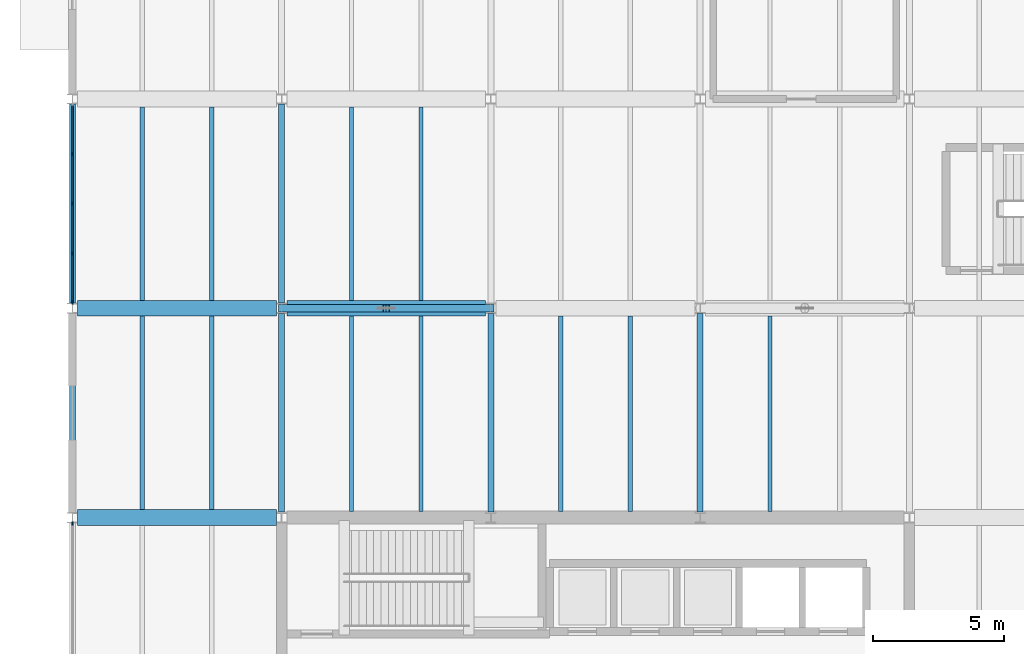
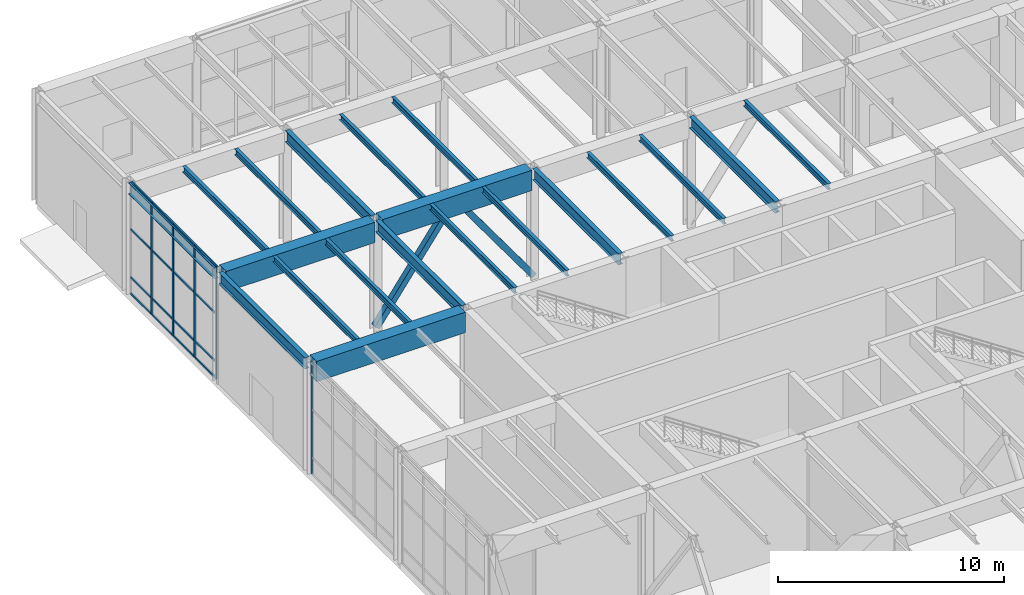
# One storey, part 20 of 51: 23 members, 20 beams, 2 elements without a shape of their own.
"""IFC4 building model written with IfcOpenShell, lengths in metres."""

import ifcopenshell
import ifcopenshell.guid

model = None  # the IFC model being written
_history = None  # IfcOwnerHistory: only IFC2X3 demands one
_inside = {}  # id of a spatial element -> (the spatial element, [elements in it])
_under = {}  # id of a project, library or spatial element -> (it, [spatial elements below it])
_declared = {}  # id of a project -> (the project, [libraries it declares])
_typed = {}  # id of a type object -> (the type object, [elements of that type])
_made_of = {}  # id of a material, layer set ... -> (it, [elements and type objects made of it])


def new_model(schema):
    """Start an empty IFC model of exactly this schema.

    Asked for "IFC4X3", IfcOpenShell would pick the latest addendum, in which some entities
    have other attributes; the version numbers below select the first issue.
    IFC2X3 requires an IfcOwnerHistory on every rooted entity: one is made here for all.
    """
    global model, _history
    if schema == "IFC4X3":
        model = ifcopenshell.file(schema_version=(4, 3, 0, 0))
    else:
        model = ifcopenshell.file(schema=schema)
    _inside.clear()
    _under.clear()
    _declared.clear()
    _typed.clear()
    _made_of.clear()
    _history = None
    if model.schema == "IFC2X3":
        org = make("IfcOrganization", Name="unknown")
        user = make(
            "IfcPersonAndOrganization",
            ThePerson=make("IfcPerson", FamilyName="unknown"),
            TheOrganization=org,
        )
        app = make(
            "IfcApplication",
            ApplicationDeveloper=org,
            Version="unknown",
            ApplicationFullName="unknown",
            ApplicationIdentifier="unknown",
        )
        _history = make(
            "IfcOwnerHistory",
            OwningUser=user,
            OwningApplication=app,
            ChangeAction="ADDED",
            CreationDate=0,
        )
    return model


def make(cls, **values):
    """One entity of the class cls with the attributes given. An attribute that is None is left unset."""
    return model.create_entity(
        cls, **{name: value for name, value in values.items() if value is not None}
    )


def rooted(cls, **values):
    """An entity with a GlobalId (a new one), such as an element, a storey or a relation."""
    return make(cls, GlobalId=ifcopenshell.guid.new(), OwnerHistory=_history, **values)


def si_unit(unit_type, name, prefix=None):
    """IfcSIUnit, for example si_unit("LENGTHUNIT", "METRE", prefix="MILLI")."""
    return make("IfcSIUnit", UnitType=unit_type, Prefix=prefix, Name=name)


def assignment(units):
    """IfcUnitAssignment: the units of a project."""
    return None if units is None else make("IfcUnitAssignment", Units=units)


def point(xyz):
    """IfcCartesianPoint."""
    return None if xyz is None else make("IfcCartesianPoint", Coordinates=xyz)


def direction(xyz):
    """IfcDirection."""
    return None if xyz is None else make("IfcDirection", DirectionRatios=xyz)


def frame(location, z_axis=None, x_axis=None):
    """IfcAxis2Placement3D, a coordinate frame: its origin and axes. An axis left out is left unset."""
    return make(
        "IfcAxis2Placement3D",
        Location=point(location),
        Axis=direction(z_axis),
        RefDirection=direction(x_axis),
    )


def frame_2d(location, x_axis=None):
    """IfcAxis2Placement2D, a coordinate frame in the plane: its origin and x axis."""
    return make(
        "IfcAxis2Placement2D", Location=point(location), RefDirection=direction(x_axis)
    )


def origin():
    """The frame at (0, 0, 0) with its axes left unset."""
    return frame((0.0, 0.0, 0.0))


def origin_2d():
    """The frame at (0, 0) in the plane with its x axis left unset."""
    return frame_2d((0.0, 0.0))


def place(relative_to, where):
    """IfcLocalPlacement: puts the frame where relative to a parent placement (None: the world)."""
    return make(
        "IfcLocalPlacement", PlacementRelTo=relative_to, RelativePlacement=where
    )


def context(
    kind, dimensions, precision=None, world=None, true_north=None, identifier=None
):
    """IfcGeometricRepresentationContext, for example the 3D "Model" context."""
    return make(
        "IfcGeometricRepresentationContext",
        ContextIdentifier=identifier,
        ContextType=kind,
        CoordinateSpaceDimension=dimensions,
        Precision=precision,
        WorldCoordinateSystem=world,
        TrueNorth=true_north,
    )


def subcontext(parent, identifier, kind, view, scale=None):
    """IfcGeometricRepresentationSubContext, for example "Body" below "Model"."""
    return make(
        "IfcGeometricRepresentationSubContext",
        ContextIdentifier=identifier,
        ContextType=kind,
        ParentContext=parent,
        TargetScale=scale,
        TargetView=view,
    )


def project(units=None, contexts=None):
    """IfcProject with its units and contexts."""
    return rooted(
        "IfcProject",
        Name="project",
        RepresentationContexts=contexts,
        UnitsInContext=assignment(units),
    )


def spatial(cls, under=None, at=None, **own):
    """A site, building, storey or space (cls), placed at a placement, below another one or the project."""
    s = rooted(cls, ObjectPlacement=at, **own)
    if under is not None:
        _under.setdefault(under.id(), (under, []))[1].append(s)
    return s


def profile(cls, at=None, kind="AREA", **sizes):
    """A parametric profile (cls). Its sizes go by their IFC names, for example OverallWidth=200.0."""
    return make(cls, ProfileType=kind, Position=at, **sizes)


def rectangle(**sizes):
    """IfcRectangleProfileDef."""
    return profile("IfcRectangleProfileDef", **sizes)


def hollow_rectangle(**sizes):
    """IfcRectangleHollowProfileDef."""
    return profile("IfcRectangleHollowProfileDef", **sizes)


def i_section(**sizes):
    """IfcIShapeProfileDef."""
    return profile("IfcIShapeProfileDef", **sizes)


def extrude(swept, where, along, depth):
    """IfcExtrudedAreaSolid: the profile swept, set in the frame where, extruded along a direction by depth."""
    return make(
        "IfcExtrudedAreaSolid",
        SweptArea=swept,
        Position=where,
        ExtrudedDirection=direction(along),
        Depth=depth,
    )


def shape(context_of_items, identifier, shape_type, items):
    """IfcShapeRepresentation: the items that make up one representation, for example the "Body"."""
    return make(
        "IfcShapeRepresentation",
        ContextOfItems=context_of_items,
        RepresentationIdentifier=identifier,
        RepresentationType=shape_type,
        Items=items,
    )


def material(Name=None, Category=None):
    """IfcMaterial."""
    return make("IfcMaterial", Name=Name, Category=Category)


def layer(
    of_material, thickness, ventilated=None, Name=None, Category=None, Priority=None
):
    """IfcMaterialLayer: one layer of a wall or slab, of a material (None: an air gap)."""
    return make(
        "IfcMaterialLayer",
        Material=of_material,
        LayerThickness=thickness,
        IsVentilated=ventilated,
        Name=Name,
        Category=Category,
        Priority=Priority,
    )


def layer_set(layers, Name=None):
    """IfcMaterialLayerSet."""
    return make("IfcMaterialLayerSet", MaterialLayers=layers, LayerSetName=Name)


def material_profile(
    of_material, cross_section, Name=None, Category=None, Priority=None
):
    """IfcMaterialProfile: a cross section and its material."""
    return make(
        "IfcMaterialProfile",
        Name=Name,
        Material=of_material,
        Profile=cross_section,
        Priority=Priority,
        Category=Category,
    )


def profile_set(profiles, Name=None, composite=None):
    """IfcMaterialProfileSet."""
    return make(
        "IfcMaterialProfileSet",
        Name=Name,
        MaterialProfiles=profiles,
        CompositeProfile=composite,
    )


def made_of(thing, what):
    """Note that an element or type object is made of a material, layer set ...; save() writes the relation."""
    if what is not None:
        _made_of.setdefault(what.id(), (what, []))[1].append(thing)
    return thing


def type_object(cls, material=None, **own):
    """A type object (cls), such as IfcWallType, which elements share."""
    return made_of(rooted(cls, **own), material)


def element(
    cls,
    number,
    at=None,
    inside=None,
    cuts=None,
    type_object=None,
    material=None,
    context=None,
    identifier="Body",
    shape_type=None,
    held_by="IfcProductDefinitionShape",
    body=None,
    shapes=None,
    **own,
):
    """One element of the class cls, such as IfcWall. Its Tag is "e" and its number.

    at: its placement. inside: the storey or other place that contains it. cuts: it is an
    opening in that element (IfcRelVoidsElement). A single representation is given by context,
    identifier, shape_type and body (its items); several are given by shapes. held_by: the class
    of the entity that holds the representations. save() writes the other relations.
    """
    e = rooted(cls, Tag="e%d" % number, ObjectPlacement=at, **own)
    if body is not None:
        shapes = [shape(context, identifier, shape_type, body)]
    if shapes is not None:
        e.Representation = make(held_by, Representations=shapes)
    if inside is not None:
        _inside.setdefault(inside.id(), (inside, []))[1].append(e)
    if cuts is not None:
        rooted(
            "IfcRelVoidsElement", RelatingBuildingElement=cuts, RelatedOpeningElement=e
        )
    if type_object is not None:
        _typed.setdefault(type_object.id(), (type_object, []))[1].append(e)
    return made_of(e, material)


def aggregate(whole, parts):
    """IfcRelAggregates: a whole, such as a stair, and the parts it consists of."""
    return rooted("IfcRelAggregates", RelatingObject=whole, RelatedObjects=parts)


def save(model, path):
    """Write the relations noted so far, then the file.

    IfcRelAggregates (storeys below a building ...), IfcRelContainedInSpatialStructure (elements
    in a storey), IfcRelDefinesByType, IfcRelAssociatesMaterial and IfcRelDeclares: one each for
    every whole, place, type object, material and project.
    """
    for whole, parts in _under.values():
        aggregate(whole, parts)
    for where, things in _inside.values():
        rooted(
            "IfcRelContainedInSpatialStructure",
            RelatedElements=things,
            RelatingStructure=where,
        )
    for kind, things in _typed.values():
        rooted("IfcRelDefinesByType", RelatedObjects=things, RelatingType=kind)
    for what, things in _made_of.values():
        rooted("IfcRelAssociatesMaterial", RelatedObjects=things, RelatingMaterial=what)
    for by, libraries in _declared.values():
        rooted("IfcRelDeclares", RelatingContext=by, RelatedDefinitions=libraries)
    model.write(path)


model = new_model("IFC4")

# Units and contexts
model_context = context("Model", 3, precision=1e-05, world=origin(), true_north=direction((0.0, 1.0)))
body_context = subcontext(model_context, "Body", "Model", "MODEL_VIEW")
ifc_project = project(units=[si_unit("LENGTHUNIT", "METRE"), si_unit("AREAUNIT", "SQUARE_METRE"), si_unit("VOLUMEUNIT", "CUBIC_METRE"), si_unit("PLANEANGLEUNIT", "RADIAN"), si_unit("MASSUNIT", "GRAM", prefix="KILO")], contexts=[model_context])

# Site, building, storey
site_placement = place(None, origin())
site = spatial("IfcSite", under=ifc_project, at=site_placement, CompositionType="ELEMENT")
building_placement = place(site_placement, origin())
building = spatial("IfcBuilding", under=site, at=building_placement, Name="Varnela Railside Interchange", CompositionType="ELEMENT")
storey_placement = place(building_placement, origin())
storey = spatial("IfcBuildingStorey", under=building, at=storey_placement, Name="L00", CompositionType="ELEMENT", Elevation=0.0)

# Beams
ifc_material_1 = material(Name="Steel AR 350 (350 MPa)", Category="steel")
ifc_material_profile_1 = material_profile(ifc_material_1, i_section(OverallWidth=0.1669921875, OverallDepth=0.31689453125, WebThickness=0.007568359375, FlangeThickness=0.01318359375, at=origin_2d()), Name="W310x52")
ifc_profile_set_1 = profile_set([ifc_material_profile_1], Name="Steel AR 350 (350 MPa)")
beam_type_1 = type_object("IfcBeamType", Name="Composite Long-Span Joist J-03", PredefinedType="JOIST", material=ifc_profile_set_1)
for number, where, z_axis, x_axis, name in (
    (1, (6.669921875, 70.300048828125, 5.861572265625), (0.0, 1.0, 0.0), (-1.0, 0.0, 0.0), "Composite Long-Span Joist J-03 (L00) (BM-1034)"),
    (2, (9.330078125, 70.300048828125, 5.861572265625), (0.0, 1.0, 0.0), (-1.0, 0.0, 0.0), "Composite Long-Span Joist J-03 (L00) (BM-1035)"),
    (3, (6.669921875, 78.300048828125, 5.861572265625), (0.0, 1.0, 0.0), (-1.0, 0.0, 0.0), "Composite Long-Span Joist J-03 (L00) (BM-1036)"),
    (4, (9.330078125, 78.300048828125, 5.861572265625), (0.0, 1.0, 0.0), (-1.0, 0.0, 0.0), "Composite Long-Span Joist J-03 (L00) (BM-1037)"),
):
    element("IfcBeam", number, at=place(storey_placement, frame(where, z_axis=z_axis, x_axis=x_axis)), inside=storey, type_object=beam_type_1, Name=name, PredefinedType="JOIST", context=body_context, shape_type="SweptSolid", body=[
        extrude(i_section(OverallWidth=0.1669921875, OverallDepth=0.31689453125, WebThickness=0.007568359375, FlangeThickness=0.01318359375, at=origin_2d()), origin(), (0.0, 0.0, 1.0), 7.39990234375),
    ])
for number, where, z_axis, x_axis, name in (
    (5, (14.669921875, 70.239990234375, 5.861572265625), (0.0, 1.0, 0.0), (-1.0, 0.0, 0.0), "Composite Long-Span Joist J-03 (L00) (BM-1118)"),
    (6, (17.330078125, 70.239990234375, 5.861572265625), (0.0, 1.0, 0.0), (-1.0, 0.0, 0.0), "Composite Long-Span Joist J-03 (L00) (BM-1119)"),
):
    element("IfcBeam", number, at=place(storey_placement, frame(where, z_axis=z_axis, x_axis=x_axis)), inside=storey, type_object=beam_type_1, Name=name, PredefinedType="JOIST", context=body_context, shape_type="SweptSolid", body=[
        extrude(i_section(OverallWidth=0.1669921875, OverallDepth=0.31689453125, WebThickness=0.007568359375, FlangeThickness=0.01318359375, at=origin_2d()), origin(), (0.0, 0.0, 1.0), 7.4599609375),
    ])
for number, where, z_axis, x_axis, name in (
    (7, (14.669921875, 78.300048828125, 5.861572265625), (0.0, 1.0, 0.0), (-1.0, 0.0, 0.0), "Composite Long-Span Joist J-03 (L00) (BM-1120)"),
    (8, (17.330078125, 78.300048828125, 5.861572265625), (0.0, 1.0, 0.0), (-1.0, 0.0, 0.0), "Composite Long-Span Joist J-03 (L00) (BM-1121)"),
):
    element("IfcBeam", number, at=place(storey_placement, frame(where, z_axis=z_axis, x_axis=x_axis)), inside=storey, type_object=beam_type_1, Name=name, PredefinedType="JOIST", context=body_context, shape_type="SweptSolid", body=[
        extrude(i_section(OverallWidth=0.1669921875, OverallDepth=0.31689453125, WebThickness=0.007568359375, FlangeThickness=0.01318359375, at=origin_2d()), origin(), (0.0, 0.0, 1.0), 7.39990234375),
    ])
for number, where, z_axis, x_axis, name in (
    (9, (22.669921875, 70.239990234375, 5.861572265625), (0.0, 1.0, 0.0), (-1.0, 0.0, 0.0), "Composite Long-Span Joist J-03 (L00) (BM-1128)"),
    (10, (25.330078125, 70.239990234375, 5.861572265625), (0.0, 1.0, 0.0), (-1.0, 0.0, 0.0), "Composite Long-Span Joist J-03 (L00) (BM-1129)"),
    (11, (30.669921875, 70.239990234375, 5.861572265625), (0.0, 1.0, 0.0), (-1.0, 0.0, 0.0), "Composite Long-Span Joist J-03 (L00) (BM-1138)"),
):
    element("IfcBeam", number, at=place(storey_placement, frame(where, z_axis=z_axis, x_axis=x_axis)), inside=storey, type_object=beam_type_1, Name=name, PredefinedType="JOIST", context=body_context, shape_type="SweptSolid", body=[
        extrude(i_section(OverallWidth=0.1669921875, OverallDepth=0.31689453125, WebThickness=0.007568359375, FlangeThickness=0.01318359375, at=origin_2d()), origin(), (0.0, 0.0, 1.0), 7.4599609375),
    ])
ifc_material_2 = material(Name="Concrete C50", Category="concrete")
ifc_material_profile_2 = material_profile(ifc_material_2, rectangle(XDim=0.60009765625, YDim=1.10009765625, at=origin_2d()), Name="RC 600x1100")
ifc_profile_set_2 = profile_set([ifc_material_profile_2], Name="Concrete C50")
beam_type_2 = type_object("IfcBeamType", Name="Concourse RC Girder B-06", PredefinedType="BEAM", material=ifc_profile_set_2)
beam_1_placement = place(storey_placement, frame((4.200439453125, 70.0, 5.469970703125), z_axis=(1.0, 0.0, 0.0), x_axis=(0.0, 1.0, 0.0)))
element("IfcBeam", 12, at=beam_1_placement, inside=storey, type_object=beam_type_2, Name="Concourse RC Girder B-06 (L00) (BM-1272)", PredefinedType="BEAM", context=body_context, shape_type="SweptSolid", body=[
    extrude(rectangle(XDim=0.60009765625, YDim=1.10009765625, at=origin_2d()), origin(), (0.0, 0.0, 1.0), 7.5966796875),
])
for number, where, z_axis, x_axis, name in (
    (13, (4.200439453125, 78.0, 5.469970703125), (1.0, 0.0, 0.0), (0.0, 1.0, 0.0), "Concourse RC Girder B-06 (L00) (BM-1281)"),
    (14, (12.200439453125, 78.0, 5.469970703125), (1.0, 0.0, 0.0), (0.0, 1.0, 0.0), "Concourse RC Girder B-06 (L00) (BM-1275)"),
):
    element("IfcBeam", number, at=place(storey_placement, frame(where, z_axis=z_axis, x_axis=x_axis)), inside=storey, type_object=beam_type_2, Name=name, PredefinedType="BEAM", context=body_context, shape_type="SweptSolid", body=[
        extrude(rectangle(XDim=0.60009765625, YDim=1.10009765625, at=origin_2d()), origin(), (0.0, 0.0, 1.0), 7.59912109375),
    ])

# Curtain wall, member
ifc_material_3 = material(Name="Aluminium 6063-T6", Category="aluminium")
ifc_layer = layer(ifc_material_3, 0.035888671875)
ifc_layer_set = layer_set([ifc_layer], Name="Aluminium 6063-T6")
curtain_wall_type = type_object("IfcCurtainWallType", Name="Operations Wing Facade Curtain Wall CW-03", PredefinedType="USERDEFINED", material=ifc_layer_set)
curtain_wall_1_placement = place(storey_placement, origin())
curtain_wall_1 = element("IfcCurtainWall", 15, at=curtain_wall_1_placement, inside=storey, type_object=curtain_wall_type, Name="Curtain Wall CW-03 (L00) (CW-018)", ObjectType="CURTAIN WALL", PredefinedType="USERDEFINED")
ifc_material_profile_3 = material_profile(ifc_material_3, rectangle(XDim=0.06005859375, YDim=0.139892578125, at=origin_2d()), Name="ALU 60x140")
ifc_profile_set_3 = profile_set([ifc_material_profile_3], Name="Aluminium 6063-T6")
member_type_1 = type_object("IfcMemberType", Name="Curtain Wall Mullion ML-01", PredefinedType="MULLION", material=ifc_profile_set_3)
member_1_placement = place(storey_placement, frame((4.0, 69.7705078125, 0.0), z_axis=(0.0, 0.0, 1.0), x_axis=(-1.0, 0.0, 0.0)))
member_1 = element("IfcMember", 16, at=member_1_placement, type_object=member_type_1, Name="CW-03 mullion 5", PredefinedType="MULLION", context=body_context, shape_type="SweptSolid", body=[
    extrude(rectangle(XDim=0.06005859375, YDim=0.139892578125, at=origin_2d()), origin(), (0.0, 0.0, 1.0), 6.02001953125),
])
aggregate(curtain_wall_1, [member_1])

# Curtain wall, members
curtain_wall_2_placement = place(storey_placement, origin())
curtain_wall_2 = element("IfcCurtainWall", 17, at=curtain_wall_2_placement, inside=storey, type_object=curtain_wall_type, Name="Curtain Wall CW-03 (L00) (CW-001)", ObjectType="CURTAIN WALL", PredefinedType="USERDEFINED")
member_2_placement = place(storey_placement, frame((4.0, 78.2294921875, 0.0), z_axis=(0.0, 0.0, 1.0), x_axis=(-1.0, 0.0, 0.0)))
member_2 = element("IfcMember", 18, at=member_2_placement, type_object=member_type_1, Name="CW-03 mullion 1", PredefinedType="MULLION", context=body_context, shape_type="SweptSolid", body=[
    extrude(rectangle(XDim=0.06005859375, YDim=0.139892578125, at=origin_2d()), origin(), (0.0, 0.0, 1.0), 6.02001953125),
])
member_3_placement = place(storey_placement, frame((4.0, 80.099853515625, 0.0), z_axis=(0.0, 0.0, 1.0), x_axis=(-1.0, 0.0, 0.0)))
member_3 = element("IfcMember", 19, at=member_3_placement, type_object=member_type_1, Name="CW-03 mullion 2", PredefinedType="MULLION", context=body_context, shape_type="SweptSolid", body=[
    extrude(rectangle(XDim=0.06005859375, YDim=0.139892578125, at=origin_2d()), origin(), (0.0, 0.0, 1.0), 6.02001953125),
])
member_4_placement = place(storey_placement, frame((4.0, 82.0, 0.0), z_axis=(0.0, 0.0, 1.0), x_axis=(-1.0, 0.0, 0.0)))
member_4 = element("IfcMember", 20, at=member_4_placement, type_object=member_type_1, Name="CW-03 mullion 3", PredefinedType="MULLION", context=body_context, shape_type="SweptSolid", body=[
    extrude(rectangle(XDim=0.06005859375, YDim=0.139892578125, at=origin_2d()), origin(), (0.0, 0.0, 1.0), 6.02001953125),
])
member_5_placement = place(storey_placement, frame((4.0, 83.900146484375, 0.0), z_axis=(0.0, 0.0, 1.0), x_axis=(-1.0, 0.0, 0.0)))
member_5 = element("IfcMember", 21, at=member_5_placement, type_object=member_type_1, Name="CW-03 mullion 4", PredefinedType="MULLION", context=body_context, shape_type="SweptSolid", body=[
    extrude(rectangle(XDim=0.06005859375, YDim=0.139892578125, at=origin_2d()), origin(), (0.0, 0.0, 1.0), 6.02001953125),
])
ifc_material_profile_4 = material_profile(ifc_material_3, rectangle(XDim=0.06005859375, YDim=0.110107421875, at=origin_2d()), Name="ALU 60x110")
ifc_profile_set_4 = profile_set([ifc_material_profile_4], Name="Aluminium 6063-T6")
member_type_2 = type_object("IfcMemberType", Name="Curtain Wall Transom TR-01", PredefinedType="USERDEFINED", material=ifc_profile_set_4)
member_6_placement = place(storey_placement, frame((4.0, 78.259521484375, 0.030029296875), z_axis=(0.0, 1.0, 0.0), x_axis=(-1.0, 0.0, 0.0)))
member_6 = element("IfcMember", 22, at=member_6_placement, type_object=member_type_2, Name="CW-03 transom 1.1", ObjectType="TRANSOM", PredefinedType="USERDEFINED", context=body_context, shape_type="SweptSolid", body=[
    extrude(rectangle(XDim=0.06005859375, YDim=0.110107421875, at=origin_2d()), origin(), (0.0, 0.0, 1.0), 1.810302734375),
])
member_7_placement = place(storey_placement, frame((4.0, 78.259521484375, 0.89990234375), z_axis=(0.0, 1.0, 0.0), x_axis=(-1.0, 0.0, 0.0)))
member_7 = element("IfcMember", 23, at=member_7_placement, type_object=member_type_2, Name="CW-03 transom 1.2", ObjectType="TRANSOM", PredefinedType="USERDEFINED", context=body_context, shape_type="SweptSolid", body=[
    extrude(rectangle(XDim=0.06005859375, YDim=0.110107421875, at=origin_2d()), origin(), (0.0, 0.0, 1.0), 1.810302734375),
])
member_8_placement = place(storey_placement, frame((4.0, 78.259521484375, 3.49169921875), z_axis=(0.0, 1.0, 0.0), x_axis=(-1.0, 0.0, 0.0)))
member_8 = element("IfcMember", 24, at=member_8_placement, type_object=member_type_2, Name="CW-03 transom 1.3", ObjectType="TRANSOM", PredefinedType="USERDEFINED", context=body_context, shape_type="SweptSolid", body=[
    extrude(rectangle(XDim=0.06005859375, YDim=0.110107421875, at=origin_2d()), origin(), (0.0, 0.0, 1.0), 1.810302734375),
])
member_9_placement = place(storey_placement, frame((4.0, 78.259521484375, 5.989990234375), z_axis=(0.0, 1.0, 0.0), x_axis=(-1.0, 0.0, 0.0)))
member_9 = element("IfcMember", 25, at=member_9_placement, type_object=member_type_2, Name="CW-03 transom 1.4", ObjectType="TRANSOM", PredefinedType="USERDEFINED", context=body_context, shape_type="SweptSolid", body=[
    extrude(rectangle(XDim=0.06005859375, YDim=0.110107421875, at=origin_2d()), origin(), (0.0, 0.0, 1.0), 1.810302734375),
])
member_10_placement = place(storey_placement, frame((4.0, 80.129638671875, 0.030029296875), z_axis=(0.0, 1.0, 0.0), x_axis=(-1.0, 0.0, 0.0)))
member_10 = element("IfcMember", 26, at=member_10_placement, type_object=member_type_2, Name="CW-03 transom 2.1", ObjectType="TRANSOM", PredefinedType="USERDEFINED", context=body_context, shape_type="SweptSolid", body=[
    extrude(rectangle(XDim=0.06005859375, YDim=0.110107421875, at=origin_2d()), origin(), (0.0, 0.0, 1.0), 1.84033203125),
])
member_11_placement = place(storey_placement, frame((4.0, 80.129638671875, 0.89990234375), z_axis=(0.0, 1.0, 0.0), x_axis=(-1.0, 0.0, 0.0)))
member_11 = element("IfcMember", 27, at=member_11_placement, type_object=member_type_2, Name="CW-03 transom 2.2", ObjectType="TRANSOM", PredefinedType="USERDEFINED", context=body_context, shape_type="SweptSolid", body=[
    extrude(rectangle(XDim=0.06005859375, YDim=0.110107421875, at=origin_2d()), origin(), (0.0, 0.0, 1.0), 1.84033203125),
])
member_12_placement = place(storey_placement, frame((4.0, 80.129638671875, 3.49169921875), z_axis=(0.0, 1.0, 0.0), x_axis=(-1.0, 0.0, 0.0)))
member_12 = element("IfcMember", 28, at=member_12_placement, type_object=member_type_2, Name="CW-03 transom 2.3", ObjectType="TRANSOM", PredefinedType="USERDEFINED", context=body_context, shape_type="SweptSolid", body=[
    extrude(rectangle(XDim=0.06005859375, YDim=0.110107421875, at=origin_2d()), origin(), (0.0, 0.0, 1.0), 1.84033203125),
])
member_13_placement = place(storey_placement, frame((4.0, 80.129638671875, 5.989990234375), z_axis=(0.0, 1.0, 0.0), x_axis=(-1.0, 0.0, 0.0)))
member_13 = element("IfcMember", 29, at=member_13_placement, type_object=member_type_2, Name="CW-03 transom 2.4", ObjectType="TRANSOM", PredefinedType="USERDEFINED", context=body_context, shape_type="SweptSolid", body=[
    extrude(rectangle(XDim=0.06005859375, YDim=0.110107421875, at=origin_2d()), origin(), (0.0, 0.0, 1.0), 1.84033203125),
])
member_14_placement = place(storey_placement, frame((4.0, 82.030029296875, 0.030029296875), z_axis=(0.0, 1.0, 0.0), x_axis=(-1.0, 0.0, 0.0)))
member_14 = element("IfcMember", 30, at=member_14_placement, type_object=member_type_2, Name="CW-03 transom 3.1", ObjectType="TRANSOM", PredefinedType="USERDEFINED", context=body_context, shape_type="SweptSolid", body=[
    extrude(rectangle(XDim=0.06005859375, YDim=0.110107421875, at=origin_2d()), origin(), (0.0, 0.0, 1.0), 1.84033203125),
])
member_15_placement = place(storey_placement, frame((4.0, 82.030029296875, 0.89990234375), z_axis=(0.0, 1.0, 0.0), x_axis=(-1.0, 0.0, 0.0)))
member_15 = element("IfcMember", 31, at=member_15_placement, type_object=member_type_2, Name="CW-03 transom 3.2", ObjectType="TRANSOM", PredefinedType="USERDEFINED", context=body_context, shape_type="SweptSolid", body=[
    extrude(rectangle(XDim=0.06005859375, YDim=0.110107421875, at=origin_2d()), origin(), (0.0, 0.0, 1.0), 1.84033203125),
])
member_16_placement = place(storey_placement, frame((4.0, 82.030029296875, 3.49169921875), z_axis=(0.0, 1.0, 0.0), x_axis=(-1.0, 0.0, 0.0)))
member_16 = element("IfcMember", 32, at=member_16_placement, type_object=member_type_2, Name="CW-03 transom 3.3", ObjectType="TRANSOM", PredefinedType="USERDEFINED", context=body_context, shape_type="SweptSolid", body=[
    extrude(rectangle(XDim=0.06005859375, YDim=0.110107421875, at=origin_2d()), origin(), (0.0, 0.0, 1.0), 1.84033203125),
])
member_17_placement = place(storey_placement, frame((4.0, 82.030029296875, 5.989990234375), z_axis=(0.0, 1.0, 0.0), x_axis=(-1.0, 0.0, 0.0)))
member_17 = element("IfcMember", 33, at=member_17_placement, type_object=member_type_2, Name="CW-03 transom 3.4", ObjectType="TRANSOM", PredefinedType="USERDEFINED", context=body_context, shape_type="SweptSolid", body=[
    extrude(rectangle(XDim=0.06005859375, YDim=0.110107421875, at=origin_2d()), origin(), (0.0, 0.0, 1.0), 1.84033203125),
])
member_18_placement = place(storey_placement, frame((4.0, 83.93017578125, 0.030029296875), z_axis=(0.0, 1.0, 0.0), x_axis=(-1.0, 0.0, 0.0)))
member_18 = element("IfcMember", 34, at=member_18_placement, type_object=member_type_2, Name="CW-03 transom 4.1", ObjectType="TRANSOM", PredefinedType="USERDEFINED", context=body_context, shape_type="SweptSolid", body=[
    extrude(rectangle(XDim=0.06005859375, YDim=0.110107421875, at=origin_2d()), origin(), (0.0, 0.0, 1.0), 1.810302734375),
])
member_19_placement = place(storey_placement, frame((4.0, 83.93017578125, 0.89990234375), z_axis=(0.0, 1.0, 0.0), x_axis=(-1.0, 0.0, 0.0)))
member_19 = element("IfcMember", 35, at=member_19_placement, type_object=member_type_2, Name="CW-03 transom 4.2", ObjectType="TRANSOM", PredefinedType="USERDEFINED", context=body_context, shape_type="SweptSolid", body=[
    extrude(rectangle(XDim=0.06005859375, YDim=0.110107421875, at=origin_2d()), origin(), (0.0, 0.0, 1.0), 1.810302734375),
])
member_20_placement = place(storey_placement, frame((4.0, 83.93017578125, 3.49169921875), z_axis=(0.0, 1.0, 0.0), x_axis=(-1.0, 0.0, 0.0)))
member_20 = element("IfcMember", 36, at=member_20_placement, type_object=member_type_2, Name="CW-03 transom 4.3", ObjectType="TRANSOM", PredefinedType="USERDEFINED", context=body_context, shape_type="SweptSolid", body=[
    extrude(rectangle(XDim=0.06005859375, YDim=0.110107421875, at=origin_2d()), origin(), (0.0, 0.0, 1.0), 1.810302734375),
])
member_21_placement = place(storey_placement, frame((4.0, 83.93017578125, 5.989990234375), z_axis=(0.0, 1.0, 0.0), x_axis=(-1.0, 0.0, 0.0)))
member_21 = element("IfcMember", 37, at=member_21_placement, type_object=member_type_2, Name="CW-03 transom 4.4", ObjectType="TRANSOM", PredefinedType="USERDEFINED", context=body_context, shape_type="SweptSolid", body=[
    extrude(rectangle(XDim=0.06005859375, YDim=0.110107421875, at=origin_2d()), origin(), (0.0, 0.0, 1.0), 1.810302734375),
])
aggregate(curtain_wall_2, [member_2, member_3, member_4, member_5, member_6, member_7, member_8, member_9, member_10, member_11, member_12, member_13, member_14, member_15, member_16, member_17, member_18, member_19, member_20, member_21])

# Members
ifc_material_profile_5 = material_profile(ifc_material_1, hollow_rectangle(XDim=0.300048828125, YDim=0.300048828125, WallThickness=0.01611328125, at=origin_2d()), Name="HSS 300x300x16")
ifc_profile_set_5 = profile_set([ifc_material_profile_5], Name="Steel AR 350 (350 MPa)")
member_type_3 = type_object("IfcMemberType", Name="Lateral Chevron Brace BR-01", PredefinedType="BRACE", material=ifc_profile_set_5)
for number, where, z_axis, x_axis, name in (
    (38, (12.0, 78.0, 0.14990234375), (0.586773887058, 0.0, 0.809750829247), (0.0, 1.0, 0.0), "Lateral Chevron Brace BR-01 (L00) (MB-0001)"),
    (39, (20.0, 78.0, 0.14990234375), (-0.586773887058, 0.0, 0.809750829247), (0.0, -1.0, 0.0), "Lateral Chevron Brace BR-01 (L00) (MB-0002)"),
):
    element("IfcMember", number, at=place(storey_placement, frame(where, z_axis=z_axis, x_axis=x_axis)), inside=storey, type_object=member_type_3, Name=name, PredefinedType="BRACE", context=body_context, shape_type="SweptSolid", body=[
        extrude(hollow_rectangle(XDim=0.300048828125, YDim=0.300048828125, WallThickness=0.01611328125, at=origin_2d()), origin(), (0.0, 0.0, 1.0), 6.81689453125),
    ])

# Beams
ifc_material_profile_6 = material_profile(ifc_material_1, i_section(OverallWidth=0.22900390625, OverallDepth=0.612060546875, WebThickness=0.011962890625, FlangeThickness=0.01953125, at=origin_2d()), Name="W610x125")
ifc_profile_set_6 = profile_set([ifc_material_profile_6], Name="Steel AR 350 (350 MPa)")
beam_type_3 = type_object("IfcBeamType", Name="Podium Composite Girder B-15", PredefinedType="BEAM", material=ifc_profile_set_6)
for number, where, z_axis, x_axis, name in (
    (40, (4.0, 70.199462890625, 5.714111328125), (0.0, 1.0, 0.0), (-1.0, 0.0, 0.0), "Podium Composite Girder B-15 (L00) (BM-1346)"),
    (41, (4.0, 78.199462890625, 5.714111328125), (0.0, 1.0, 0.0), (-1.0, 0.0, 0.0), "Podium Composite Girder B-15 (L00) (BM-1347)"),
):
    element("IfcBeam", number, at=place(storey_placement, frame(where, z_axis=z_axis, x_axis=x_axis)), inside=storey, type_object=beam_type_3, Name=name, PredefinedType="BEAM", context=body_context, shape_type="SweptSolid", body=[
        extrude(i_section(OverallWidth=0.22900390625, OverallDepth=0.612060546875, WebThickness=0.011962890625, FlangeThickness=0.01953125, at=origin_2d()), origin(), (0.0, 0.0, 1.0), 7.60107421875),
    ])
beam_2_placement = place(storey_placement, frame((12.0, 70.2080078125, 5.714111328125), z_axis=(0.0, 1.0, 0.0), x_axis=(-1.0, 0.0, 0.0)))
element("IfcBeam", 42, at=beam_2_placement, inside=storey, type_object=beam_type_3, Name="Podium Composite Girder B-15 (L00) (BM-1356)", PredefinedType="BEAM", context=body_context, shape_type="SweptSolid", body=[
    extrude(i_section(OverallWidth=0.22900390625, OverallDepth=0.612060546875, WebThickness=0.011962890625, FlangeThickness=0.01953125, at=origin_2d()), origin(), (0.0, 0.0, 1.0), 7.592529296875),
])
beam_3_placement = place(storey_placement, frame((12.0, 78.199462890625, 5.714111328125), z_axis=(0.0, 1.0, 0.0), x_axis=(-1.0, 0.0, 0.0)))
element("IfcBeam", 43, at=beam_3_placement, inside=storey, type_object=beam_type_3, Name="Podium Composite Girder B-15 (L00) (BM-1357)", PredefinedType="BEAM", context=body_context, shape_type="SweptSolid", body=[
    extrude(i_section(OverallWidth=0.22900390625, OverallDepth=0.612060546875, WebThickness=0.011962890625, FlangeThickness=0.01953125, at=origin_2d()), origin(), (0.0, 0.0, 1.0), 7.60107421875),
])
for number, where, z_axis, x_axis, name in (
    (44, (20.0, 70.2080078125, 5.714111328125), (0.0, 1.0, 0.0), (-1.0, 0.0, 0.0), "Podium Composite Girder B-15 (L00) (BM-1361)"),
    (45, (28.0, 70.2080078125, 5.714111328125), (0.0, 1.0, 0.0), (-1.0, 0.0, 0.0), "Podium Composite Girder B-15 (L00) (BM-1366)"),
):
    element("IfcBeam", number, at=place(storey_placement, frame(where, z_axis=z_axis, x_axis=x_axis)), inside=storey, type_object=beam_type_3, Name=name, PredefinedType="BEAM", context=body_context, shape_type="SweptSolid", body=[
        extrude(i_section(OverallWidth=0.22900390625, OverallDepth=0.612060546875, WebThickness=0.011962890625, FlangeThickness=0.01953125, at=origin_2d()), origin(), (0.0, 0.0, 1.0), 7.592529296875),
    ])

save(model, "model.ifc")
